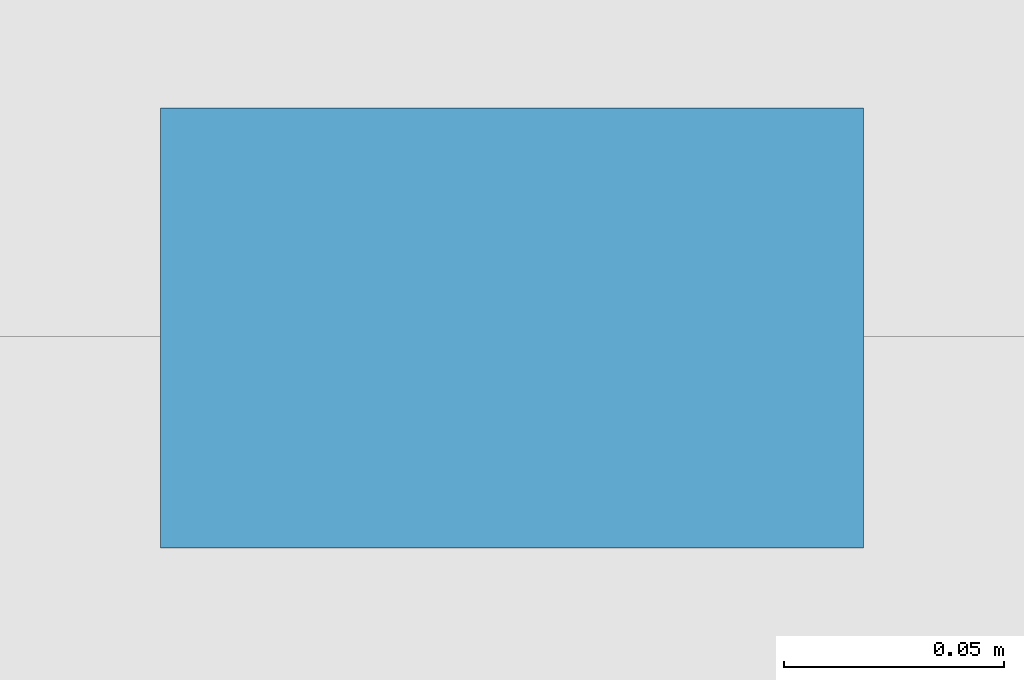
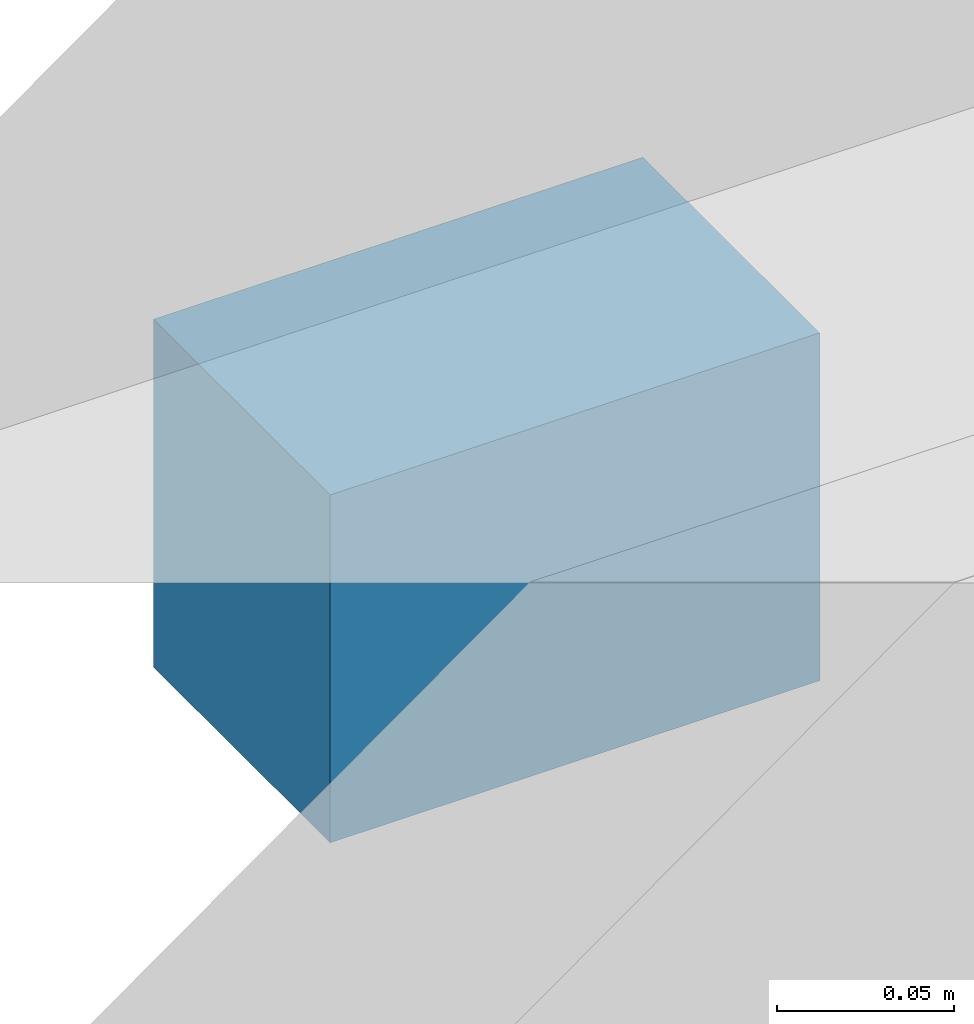
# One storey, part 134 of 156: 1 discrete accessory.
"""IFC4 building model written with IfcOpenShell, lengths in metres."""

from ifc_helpers import new_model, si_unit, direction, frame, origin, origin_2d, place, context, subcontext, project, spatial, rectangle, extrude, material, type_object, element, save


model = new_model("IFC4")

# Units and contexts
model_context = context("Model", 3, precision=1e-05, world=origin(), true_north=direction((0.0, 1.0)))
body_context = subcontext(model_context, "Body", "Model", "MODEL_VIEW")
ifc_project = project(units=[si_unit("LENGTHUNIT", "METRE"), si_unit("AREAUNIT", "SQUARE_METRE"), si_unit("VOLUMEUNIT", "CUBIC_METRE"), si_unit("PLANEANGLEUNIT", "RADIAN"), si_unit("MASSUNIT", "GRAM", prefix="KILO")], contexts=[model_context])

# Site, building, storey
site_placement = place(None, origin())
site = spatial("IfcSite", under=ifc_project, at=site_placement, CompositionType="ELEMENT")
building_placement = place(site_placement, origin())
building = spatial("IfcBuilding", under=site, at=building_placement, Name="Caurita Quay Ferry Terminal", CompositionType="ELEMENT")
storey_placement = place(building_placement, frame((0.0, 0.0, 5.39990234375)))
storey = spatial("IfcBuildingStorey", under=building, at=storey_placement, Name="L01", CompositionType="ELEMENT", Elevation=5.39990234375)

# Discrete accessory
ifc_material = material(Name="Structural plate steel ASTM A572 Gr. 50", Category="steel")
discrete_accessory_type = type_object("IfcDiscreteAccessoryType", Name="ACC-BRK-01", PredefinedType="BRACKET", material=ifc_material)
discrete_accessory_placement = place(storey_placement, frame((84.199951171875, 117.169921875, 3.2099609375), z_axis=(0.0, 0.0, 1.0), x_axis=(-1.0, 0.0, 0.0)))
element("IfcDiscreteAccessory", 1, at=discrete_accessory_placement, inside=storey, type_object=discrete_accessory_type, Name="L01 Sun-Breaker Bracket 011", PredefinedType="BRACKET", context=body_context, shape_type="SweptSolid", body=[
    extrude(rectangle(XDim=0.159912109375, YDim=0.10009765625, at=origin_2d()), origin(), (0.0, 0.0, 1.0), 0.1201171875),
])

save(model, "model.ifc")
